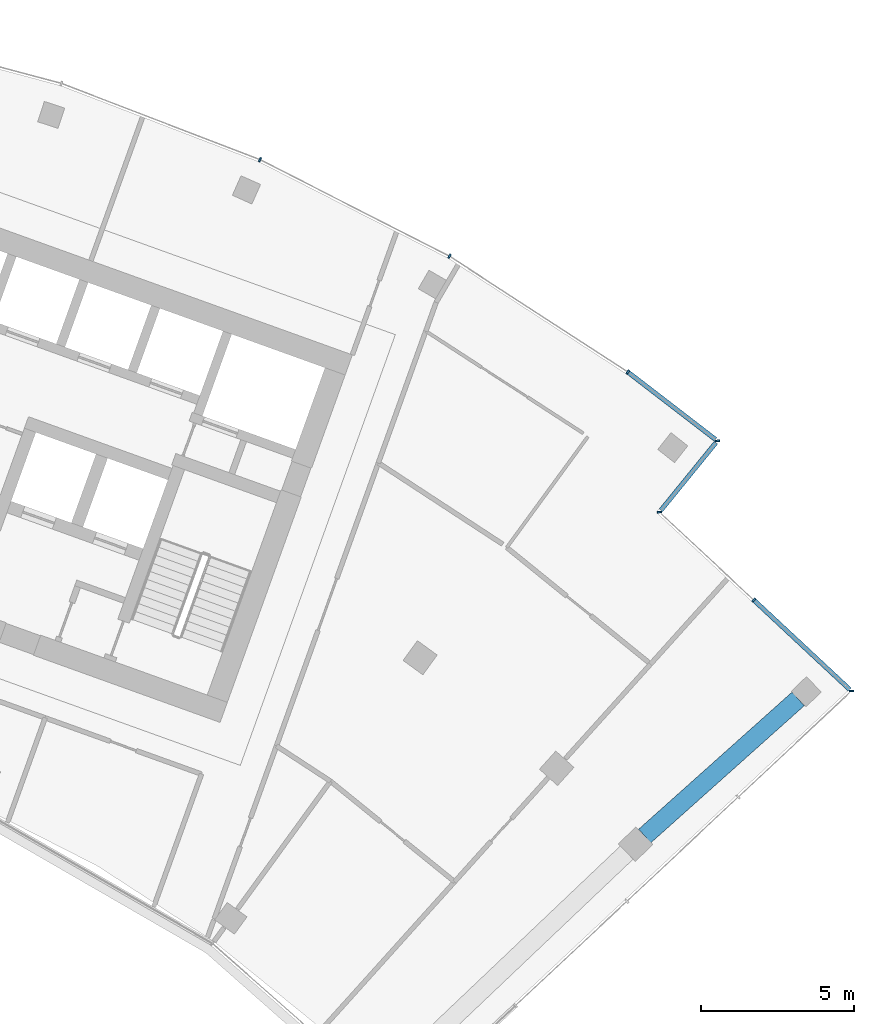
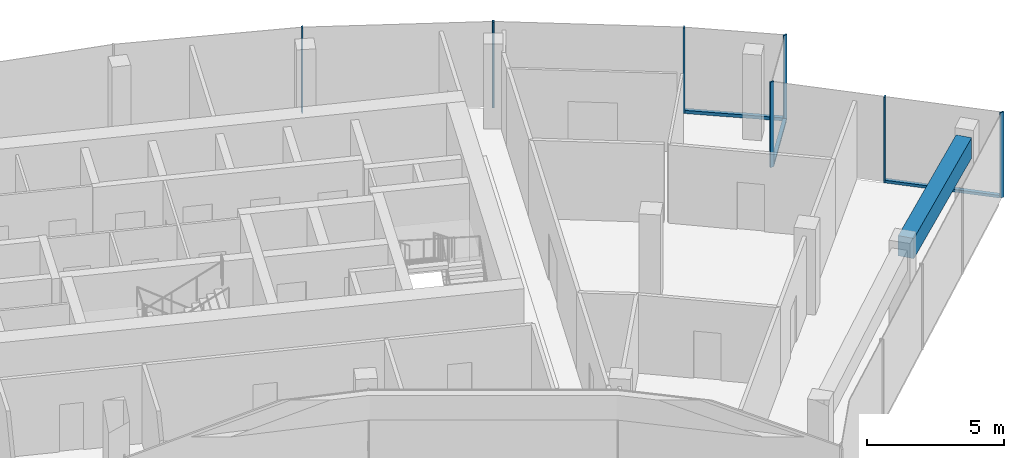
# One storey, part 9 of 18: 10 members, 1 beam, 3 elements without a shape of their own.
"""IFC4 building model written with IfcOpenShell, lengths in metres."""

from ifc_helpers import new_model, si_unit, direction, frame, origin, origin_2d, place, context, subcontext, project, spatial, rectangle, extrude, material, layer, layer_set, material_profile, profile_set, type_object, element, aggregate, save


model = new_model("IFC4")

# Units and contexts
model_context = context("Model", 3, precision=1e-05, world=origin(), true_north=direction((0.0, 1.0)))
body_context = subcontext(model_context, "Body", "Model", "MODEL_VIEW")
ifc_project = project(units=[si_unit("LENGTHUNIT", "METRE"), si_unit("AREAUNIT", "SQUARE_METRE"), si_unit("VOLUMEUNIT", "CUBIC_METRE"), si_unit("PLANEANGLEUNIT", "RADIAN"), si_unit("MASSUNIT", "GRAM", prefix="KILO")], contexts=[model_context])

# Site, building, storey
site_placement = place(None, origin())
site = spatial("IfcSite", under=ifc_project, at=site_placement, CompositionType="ELEMENT")
building_placement = place(site_placement, origin())
building = spatial("IfcBuilding", under=site, at=building_placement, Name="Stone Belt Terrace Tower", CompositionType="ELEMENT")
storey_placement = place(building_placement, frame((0.0, 0.0, 265.60009765625)))
storey = spatial("IfcBuildingStorey", under=building, at=storey_placement, Name="L64", CompositionType="ELEMENT", Elevation=265.60009765625)

# Curtain wall, members
ifc_material_1 = material(Name="Aluminium 6063-T6 anodised frame", Category="aluminium")
ifc_layer_1 = layer(ifc_material_1, 0.14990234375)
ifc_layer_set_1 = layer_set([ifc_layer_1], Name="CW-A unitised convex-face curtain wall")
curtain_wall_type_1 = type_object("IfcCurtainWallType", Name="CW-A unitised convex-face curtain wall", PredefinedType="NOTDEFINED", material=ifc_layer_set_1)
curtain_wall_1_placement = place(storey_placement, origin())
curtain_wall_1 = element("IfcCurtainWall", 1, at=curtain_wall_1_placement, inside=storey, type_object=curtain_wall_type_1, Name="CW-A convex face L64", PredefinedType="NOTDEFINED")
ifc_material_profile_1 = material_profile(ifc_material_1, rectangle(XDim=0.14990234375, YDim=0.06005859375, at=origin_2d()), Name="Aluminium 6063-T6 60x150")
ifc_profile_set_1 = profile_set([ifc_material_profile_1], Name="Aluminium 6063-T6 anodised frame")
member_type_1 = type_object("IfcMemberType", Name="CW-A mullion 60 x 150", PredefinedType="MULLION", material=ifc_profile_set_1)
member_1_placement = place(storey_placement, frame((42.068359375, 51.60205078125, 0.0), z_axis=(0.0, 0.0, 1.0), x_axis=(-0.993258004644, -0.115924700604, 0.0)))
member_1 = element("IfcMember", 2, at=member_1_placement, type_object=member_type_1, Name="CW-A mullion 1", PredefinedType="MULLION", context=body_context, shape_type="SweptSolid", body=[
    extrude(rectangle(XDim=0.14990234375, YDim=0.06005859375, at=origin_2d()), origin(), (0.0, 0.0, 1.0), 3.7998046875),
])
member_2_placement = place(storey_placement, frame((39.131103515625, 53.86083984375, 0.0), z_axis=(0.0, 0.0, 1.0), x_axis=(-0.577587125789, -0.816329046477, 0.0)))
member_2 = element("IfcMember", 3, at=member_2_placement, type_object=member_type_1, Name="CW-A mullion 2", PredefinedType="MULLION", context=body_context, shape_type="SweptSolid", body=[
    extrude(rectangle(XDim=0.14990234375, YDim=0.06005859375, at=origin_2d()), origin(), (0.0, 0.0, 1.0), 3.7998046875),
])
member_3_placement = place(storey_placement, frame((33.28759765625, 57.65576171875, 0.0), z_axis=(0.0, 0.0, 1.0), x_axis=(-0.5, -0.866025403784, 0.0)))
member_3 = element("IfcMember", 4, at=member_3_placement, type_object=member_type_1, Name="CW-A mullion 3", PredefinedType="MULLION", context=body_context, shape_type="SweptSolid", body=[
    extrude(rectangle(XDim=0.14990234375, YDim=0.06005859375, at=origin_2d()), origin(), (0.0, 0.0, 1.0), 3.7998046875),
])
member_4_placement = place(storey_placement, frame((27.07861328125, 60.8193359375, 0.0), z_axis=(0.0, 0.0, 1.0), x_axis=(-0.406736643076, -0.913545457643, 0.0)))
member_4 = element("IfcMember", 5, at=member_4_placement, type_object=member_type_1, Name="CW-A mullion 4", PredefinedType="MULLION", context=body_context, shape_type="SweptSolid", body=[
    extrude(rectangle(XDim=0.14990234375, YDim=0.06005859375, at=origin_2d()), origin(), (0.0, 0.0, 1.0), 3.7998046875),
])
ifc_material_profile_2 = material_profile(ifc_material_1, rectangle(XDim=0.14990234375, YDim=0.139892578125, at=origin_2d()), Name="Aluminium 6063-T6 150x140")
ifc_profile_set_2 = profile_set([ifc_material_profile_2], Name="Aluminium 6063-T6 anodised frame")
member_type_2 = type_object("IfcMemberType", Name="CW-A transom 140 x 150", PredefinedType="USERDEFINED", material=ifc_profile_set_2)
member_5_placement = place(storey_placement, frame((42.00927734375, 51.6474609375, 0.06982421875), z_axis=(-0.79269461464, 0.609618936648, 0.0), x_axis=(-0.609618936648, -0.79269461464, 0.0)))
member_5 = element("IfcMember", 6, at=member_5_placement, type_object=member_type_2, Name="CW-A transom 1.1", ObjectType="TRANSOM", PredefinedType="USERDEFINED", context=body_context, shape_type="SweptSolid", body=[
    extrude(rectangle(XDim=0.14990234375, YDim=0.139892578125, at=origin_2d()), origin(), (0.0, 0.0, 1.0), 3.597900390625),
])
aggregate(curtain_wall_1, [member_1, member_2, member_3, member_4, member_5])

ifc_layer_2 = layer(ifc_material_1, 0.14990234375)
ifc_layer_set_2 = layer_set([ifc_layer_2], Name="CW-C stick curtain wall, horn ends and notches")
curtain_wall_type_2 = type_object("IfcCurtainWallType", Name="CW-C stick curtain wall, horn ends and notches", PredefinedType="NOTDEFINED", material=ifc_layer_set_2)
curtain_wall_2_placement = place(storey_placement, origin())
curtain_wall_2 = element("IfcCurtainWall", 7, at=curtain_wall_2_placement, inside=storey, type_object=curtain_wall_type_2, Name="CW-C notch face L64", PredefinedType="NOTDEFINED")
ifc_material_profile_3 = material_profile(ifc_material_1, rectangle(XDim=0.14990234375, YDim=0.06005859375, at=origin_2d()), Name="Aluminium 6063-T6 60x150")
ifc_profile_set_3 = profile_set([ifc_material_profile_3], Name="Aluminium 6063-T6 anodised frame")
member_type_3 = type_object("IfcMemberType", Name="CW-C mullion 60 x 150", PredefinedType="MULLION", material=ifc_profile_set_3)
member_6_placement = place(storey_placement, frame((46.458740234375, 43.405517578125, 0.0), z_axis=(0.0, 0.0, 1.0), x_axis=(-0.999999447771, -0.00105093149, 0.0)))
member_6 = element("IfcMember", 8, at=member_6_placement, type_object=member_type_3, Name="CW-C mullion 1", PredefinedType="MULLION", context=body_context, shape_type="SweptSolid", body=[
    extrude(rectangle(XDim=0.14990234375, YDim=0.06005859375, at=origin_2d()), origin(), (0.0, 0.0, 1.0), 3.7998046875),
])
member_7_placement = place(storey_placement, frame((43.260009765625, 46.388671875, 0.0), z_axis=(0.0, 0.0, 1.0), x_axis=(-0.682013767261, -0.731339333871, 0.0)))
member_7 = element("IfcMember", 9, at=member_7_placement, type_object=member_type_3, Name="CW-C mullion 2", PredefinedType="MULLION", context=body_context, shape_type="SweptSolid", body=[
    extrude(rectangle(XDim=0.14990234375, YDim=0.06005859375, at=origin_2d()), origin(), (0.0, 0.0, 1.0), 3.7998046875),
])

# Curtain wall, member
curtain_wall_3_placement = place(storey_placement, origin())
curtain_wall_3 = element("IfcCurtainWall", 10, at=curtain_wall_3_placement, inside=storey, type_object=curtain_wall_type_2, Name="CW-C notch face L64", PredefinedType="NOTDEFINED")
member_8_placement = place(storey_placement, frame((40.1708984375, 49.269287109375, 0.0), z_axis=(0.0, 0.0, 1.0), x_axis=(-0.997639702696, -0.068666029474, 0.0)))
member_8 = element("IfcMember", 11, at=member_8_placement, type_object=member_type_3, Name="CW-C mullion 1", PredefinedType="MULLION", context=body_context, shape_type="SweptSolid", body=[
    extrude(rectangle(XDim=0.14990234375, YDim=0.06005859375, at=origin_2d()), origin(), (0.0, 0.0, 1.0), 3.7998046875),
])

# Member
ifc_material_profile_4 = material_profile(ifc_material_1, rectangle(XDim=0.14990234375, YDim=0.1201171875, at=origin_2d()), Name="Aluminium 6063-T6 150x120")
ifc_profile_set_4 = profile_set([ifc_material_profile_4], Name="Aluminium 6063-T6 anodised frame")
member_type_4 = type_object("IfcMemberType", Name="CW-C transom 120 x 150", PredefinedType="USERDEFINED", material=ifc_profile_set_4)
member_9_placement = place(storey_placement, frame((46.40380859375, 43.456787109375, 0.059814453125), z_axis=(-0.731353784958, 0.681998270693, 0.0), x_axis=(-0.681998270693, -0.731353784958, 0.0)))
member_9 = element("IfcMember", 12, at=member_9_placement, type_object=member_type_4, Name="CW-C transom 1.1", ObjectType="TRANSOM", PredefinedType="USERDEFINED", context=body_context, shape_type="SweptSolid", body=[
    extrude(rectangle(XDim=0.14990234375, YDim=0.1201171875, at=origin_2d()), origin(), (0.0, 0.0, 1.0), 4.268798828125),
])

aggregate(curtain_wall_2, [member_6, member_7, member_9])

member_10_placement = place(storey_placement, frame((40.217041015625, 49.325927734375, 0.059814453125), z_axis=(0.631026504781, 0.775761271439, 0.0), x_axis=(-0.775761271439, 0.631026504781, 0.0)))
member_10 = element("IfcMember", 13, at=member_10_placement, type_object=member_type_4, Name="CW-C transom 1.1", ObjectType="TRANSOM", PredefinedType="USERDEFINED", context=body_context, shape_type="SweptSolid", body=[
    extrude(rectangle(XDim=0.14990234375, YDim=0.1201171875, at=origin_2d()), origin(), (0.0, 0.0, 1.0), 2.859130859375),
])

aggregate(curtain_wall_3, [member_8, member_10])

# Beam
ifc_material_2 = material(Name="Concrete B60", Category="concrete")
ifc_material_profile_5 = material_profile(ifc_material_2, rectangle(XDim=0.60009765625, YDim=0.89990234375, at=origin_2d()), Name="RC 600x900")
ifc_profile_set_5 = profile_set([ifc_material_profile_5], Name="Concrete B60")
beam_type = type_object("IfcBeamType", Name="Edge beam RC 600x900 B60", PredefinedType="SPANDREL", material=ifc_profile_set_5)
beam_placement = place(storey_placement, frame((39.68701171875, 38.65380859375, 3.02978515625), z_axis=(0.745651125692, 0.666336550666, 0.0), x_axis=(-0.666336550666, 0.745651125692, 0.0)))
element("IfcBeam", 14, at=beam_placement, inside=storey, type_object=beam_type, Name="Edge beam L64 B Q to R", PredefinedType="SPANDREL", context=body_context, shape_type="SweptSolid", body=[
    extrude(rectangle(XDim=0.60009765625, YDim=0.89990234375, at=origin_2d()), origin(), (0.0, 0.0, 1.0), 6.744140625),
])

save(model, "model.ifc")
